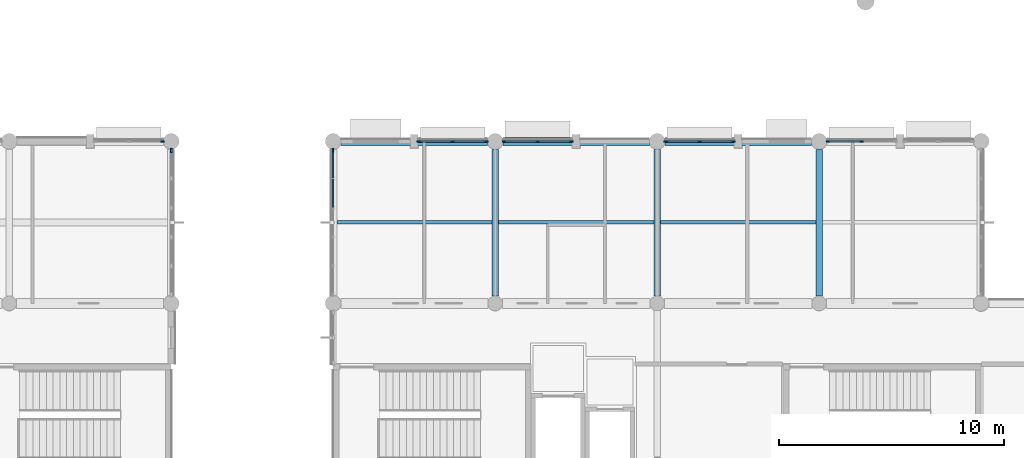
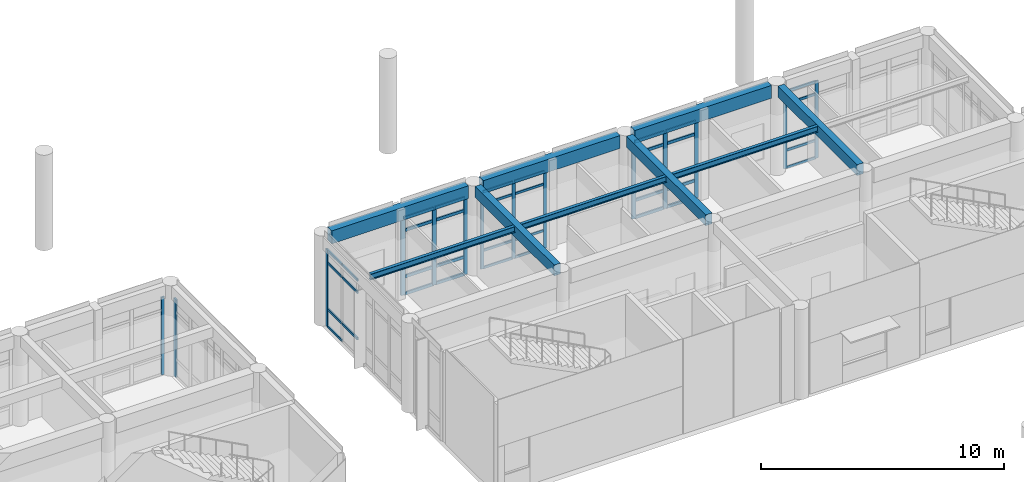
# One storey, part 27 of 92: 49 members, 9 beams, 7 elements without a shape of their own.
"""IFC4 building model written with IfcOpenShell, lengths in metres."""

from ifc_helpers import new_model, si_unit, direction, frame, origin, origin_2d, place, context, subcontext, project, spatial, rectangle, i_section, extrude, material, layer, layer_set, material_profile, profile_set, type_object, element, aggregate, save


model = new_model("IFC4")

# Units and contexts
model_context = context("Model", 3, precision=1e-05, world=origin(), true_north=direction((0.0, 1.0)))
body_context = subcontext(model_context, "Body", "Model", "MODEL_VIEW")
ifc_project = project(units=[si_unit("LENGTHUNIT", "METRE"), si_unit("AREAUNIT", "SQUARE_METRE"), si_unit("VOLUMEUNIT", "CUBIC_METRE"), si_unit("PLANEANGLEUNIT", "RADIAN"), si_unit("MASSUNIT", "GRAM", prefix="KILO")], contexts=[model_context])

# Site, building, storey
site_placement = place(None, origin())
site = spatial("IfcSite", under=ifc_project, at=site_placement, CompositionType="ELEMENT")
building_placement = place(site_placement, origin())
building = spatial("IfcBuilding", under=site, at=building_placement, Name="Namkhue Oval Health Centre", CompositionType="ELEMENT")
storey_placement = place(building_placement, frame((0.0, 0.0, 4.800048828125)))
storey = spatial("IfcBuildingStorey", under=building, at=storey_placement, Name="L01", CompositionType="ELEMENT", Elevation=4.800048828125)

# Curtain wall, member
ifc_material_1 = material(Name="Anodised aluminium EN AW-6063 T6", Category="aluminium")
ifc_layer_1 = layer(ifc_material_1, 0.159912109375)
ifc_layer_set_1 = layer_set([ifc_layer_1], Name="Anodised aluminium EN AW-6063 T6")
curtain_wall_type_1 = type_object("IfcCurtainWallType", Name="UNITISED CURTAIN WALL M1500", PredefinedType="NOTDEFINED", material=ifc_layer_set_1)
curtain_wall_1_placement = place(storey_placement, origin())
curtain_wall_1 = element("IfcCurtainWall", 1, at=curtain_wall_1_placement, inside=storey, type_object=curtain_wall_type_1, Name="Volume V2 L01 Unitised Curtain Wall 51", PredefinedType="NOTDEFINED")
ifc_material_profile_1 = material_profile(ifc_material_1, rectangle(XDim=0.06494140625, YDim=0.159912109375, at=origin_2d()), Name="ALU 65x160")
ifc_profile_set_1 = profile_set([ifc_material_profile_1], Name="Anodised aluminium EN AW-6063 T6")
member_type_1 = type_object("IfcMemberType", Name="CURTAIN WALL MULLION 65X160", PredefinedType="MULLION", material=ifc_profile_set_1)
member_1_placement = place(storey_placement, frame((86.007568359375, 104.39990234375, 0.0), z_axis=(0.0, 0.0, 1.0), x_axis=(0.0, -1.0, 0.0)))
member_1 = element("IfcMember", 2, at=member_1_placement, type_object=member_type_1, Name="CW-03 mullion 1", PredefinedType="MULLION", context=body_context, shape_type="SweptSolid", body=[
    extrude(rectangle(XDim=0.06494140625, YDim=0.159912109375, at=origin_2d()), origin(), (0.0, 0.0, 1.0), 3.905029296875),
])
aggregate(curtain_wall_1, [member_1])

# Curtain wall, members
curtain_wall_2_placement = place(storey_placement, origin())
curtain_wall_2 = element("IfcCurtainWall", 3, at=curtain_wall_2_placement, inside=storey, type_object=curtain_wall_type_1, Name="Volume V3 L01 Unitised Curtain Wall 105", PredefinedType="NOTDEFINED")
member_2_placement = place(storey_placement, frame((117.0869140625, 104.39990234375, 0.0), z_axis=(0.0, 0.0, 1.0), x_axis=(0.0, -1.0, 0.0)))
member_2 = element("IfcMember", 4, at=member_2_placement, type_object=member_type_1, Name="CW-03 mullion 2", PredefinedType="MULLION", context=body_context, shape_type="SweptSolid", body=[
    extrude(rectangle(XDim=0.06494140625, YDim=0.159912109375, at=origin_2d()), origin(), (0.0, 0.0, 1.0), 3.8798828125),
])
member_3_placement = place(storey_placement, frame((115.592529296875, 104.39990234375, 0.0), z_axis=(0.0, 0.0, 1.0), x_axis=(0.0, -1.0, 0.0)))
member_3 = element("IfcMember", 5, at=member_3_placement, type_object=member_type_1, Name="CW-03 mullion 3", PredefinedType="MULLION", context=body_context, shape_type="SweptSolid", body=[
    extrude(rectangle(XDim=0.06494140625, YDim=0.159912109375, at=origin_2d()), origin(), (0.0, 0.0, 1.0), 3.8798828125),
])

ifc_layer_2 = layer(ifc_material_1, 0.159912109375)
ifc_layer_set_2 = layer_set([ifc_layer_2], Name="Anodised aluminium EN AW-6063 T6")
curtain_wall_type_2 = type_object("IfcCurtainWallType", Name="UNITISED CURTAIN WALL M1800", PredefinedType="NOTDEFINED", material=ifc_layer_set_2)
curtain_wall_3_placement = place(storey_placement, origin())
curtain_wall_3 = element("IfcCurtainWall", 6, at=curtain_wall_3_placement, inside=storey, type_object=curtain_wall_type_2, Name="Volume V3 L01 Unitised Curtain Wall 107", PredefinedType="NOTDEFINED")
member_4_placement = place(storey_placement, frame((104.181396484375, 104.39990234375, 0.0), z_axis=(0.0, 0.0, 1.0), x_axis=(0.0, -1.0, 0.0)))
member_4 = element("IfcMember", 7, at=member_4_placement, type_object=member_type_1, Name="CW-05 mullion 1", PredefinedType="MULLION", context=body_context, shape_type="SweptSolid", body=[
    extrude(rectangle(XDim=0.06494140625, YDim=0.159912109375, at=origin_2d()), origin(), (0.0, 0.0, 1.0), 3.8798828125),
])
member_5_placement = place(storey_placement, frame((102.68701171875, 104.39990234375, 0.0), z_axis=(0.0, 0.0, 1.0), x_axis=(0.0, -1.0, 0.0)))
member_5 = element("IfcMember", 8, at=member_5_placement, type_object=member_type_1, Name="CW-05 mullion 2", PredefinedType="MULLION", context=body_context, shape_type="SweptSolid", body=[
    extrude(rectangle(XDim=0.06494140625, YDim=0.159912109375, at=origin_2d()), origin(), (0.0, 0.0, 1.0), 3.8798828125),
])
member_6_placement = place(storey_placement, frame((101.1923828125, 104.39990234375, 0.0), z_axis=(0.0, 0.0, 1.0), x_axis=(0.0, -1.0, 0.0)))
member_6 = element("IfcMember", 9, at=member_6_placement, type_object=member_type_1, Name="CW-05 mullion 3", PredefinedType="MULLION", context=body_context, shape_type="SweptSolid", body=[
    extrude(rectangle(XDim=0.06494140625, YDim=0.159912109375, at=origin_2d()), origin(), (0.0, 0.0, 1.0), 3.8798828125),
])

# Curtain wall, member
ifc_layer_3 = layer(ifc_material_1, 0.159912109375)
ifc_layer_set_3 = layer_set([ifc_layer_3], Name="Anodised aluminium EN AW-6063 T6")
curtain_wall_type_3 = type_object("IfcCurtainWallType", Name="UNITISED CURTAIN WALL M1200", PredefinedType="NOTDEFINED", material=ifc_layer_set_3)
curtain_wall_4_placement = place(storey_placement, origin())
curtain_wall_4 = element("IfcCurtainWall", 10, at=curtain_wall_4_placement, inside=storey, type_object=curtain_wall_type_3, Name="Volume V3 L01 Unitised Curtain Wall 109", PredefinedType="NOTDEFINED")
member_7_placement = place(storey_placement, frame((93.60009765625, 104.007568359375, 0.0), z_axis=(0.0, 0.0, 1.0), x_axis=(1.0, 0.0, 0.0)))
member_7 = element("IfcMember", 11, at=member_7_placement, type_object=member_type_1, Name="CW-01 mullion 1", PredefinedType="MULLION", context=body_context, shape_type="SweptSolid", body=[
    extrude(rectangle(XDim=0.06494140625, YDim=0.159912109375, at=origin_2d()), origin(), (0.0, 0.0, 1.0), 3.8798828125),
])

ifc_layer_4 = layer(ifc_material_1, 0.159912109375)
ifc_layer_set_4 = layer_set([ifc_layer_4], Name="Anodised aluminium EN AW-6063 T6")
curtain_wall_type_4 = type_object("IfcCurtainWallType", Name="UNITISED CURTAIN WALL M1350", PredefinedType="NOTDEFINED", material=ifc_layer_set_4)
curtain_wall_5_placement = place(storey_placement, origin())
curtain_wall_5 = element("IfcCurtainWall", 12, at=curtain_wall_5_placement, inside=storey, type_object=curtain_wall_type_4, Name="Volume V2 L01 Unitised Curtain Wall 50", PredefinedType="NOTDEFINED")
ifc_material_profile_2 = material_profile(ifc_material_1, rectangle(XDim=0.074951171875, YDim=0.199951171875, at=origin_2d()), Name="ALU 75x200")
ifc_profile_set_2 = profile_set([ifc_material_profile_2], Name="Anodised aluminium EN AW-6063 T6")
member_type_2 = type_object("IfcMemberType", Name="CURTAIN WALL MULLION 75X200", PredefinedType="MULLION", material=ifc_profile_set_2)
member_8_placement = place(storey_placement, frame((86.39990234375, 104.00244140625, 0.0), z_axis=(0.0, 0.0, 1.0), x_axis=(-1.0, 0.0, 0.0)))
member_8 = element("IfcMember", 13, at=member_8_placement, type_object=member_type_2, Name="CW-02 mullion 6", PredefinedType="MULLION", context=body_context, shape_type="SweptSolid", body=[
    extrude(rectangle(XDim=0.074951171875, YDim=0.199951171875, at=origin_2d()), origin(), (0.0, 0.0, 1.0), 3.905029296875),
])
aggregate(curtain_wall_5, [member_8])

# Curtain wall, members
ifc_layer_5 = layer(ifc_material_1, 0.159912109375)
ifc_layer_set_5 = layer_set([ifc_layer_5], Name="Anodised aluminium EN AW-6063 T6")
curtain_wall_type_5 = type_object("IfcCurtainWallType", Name="UNITISED CURTAIN WALL M1600", PredefinedType="NOTDEFINED", material=ifc_layer_set_5)
curtain_wall_6_placement = place(storey_placement, origin())
curtain_wall_6 = element("IfcCurtainWall", 14, at=curtain_wall_6_placement, inside=storey, type_object=curtain_wall_type_5, Name="Volume V3 L01 Unitised Curtain Wall 106", PredefinedType="NOTDEFINED")
member_9_placement = place(storey_placement, frame((111.37646484375, 104.39990234375, 0.0), z_axis=(0.0, 0.0, 1.0), x_axis=(0.0, -1.0, 0.0)))
member_9 = element("IfcMember", 15, at=member_9_placement, type_object=member_type_2, Name="CW-04 mullion 1", PredefinedType="MULLION", context=body_context, shape_type="SweptSolid", body=[
    extrude(rectangle(XDim=0.074951171875, YDim=0.199951171875, at=origin_2d()), origin(), (0.0, 0.0, 1.0), 3.8798828125),
])
member_10_placement = place(storey_placement, frame((109.886962890625, 104.39990234375, 0.0), z_axis=(0.0, 0.0, 1.0), x_axis=(0.0, -1.0, 0.0)))
member_10 = element("IfcMember", 16, at=member_10_placement, type_object=member_type_2, Name="CW-04 mullion 2", PredefinedType="MULLION", context=body_context, shape_type="SweptSolid", body=[
    extrude(rectangle(XDim=0.074951171875, YDim=0.199951171875, at=origin_2d()), origin(), (0.0, 0.0, 1.0), 3.8798828125),
])
member_11_placement = place(storey_placement, frame((108.3974609375, 104.39990234375, 0.0), z_axis=(0.0, 0.0, 1.0), x_axis=(0.0, -1.0, 0.0)))
member_11 = element("IfcMember", 17, at=member_11_placement, type_object=member_type_2, Name="CW-04 mullion 3", PredefinedType="MULLION", context=body_context, shape_type="SweptSolid", body=[
    extrude(rectangle(XDim=0.074951171875, YDim=0.199951171875, at=origin_2d()), origin(), (0.0, 0.0, 1.0), 3.8798828125),
])

ifc_layer_6 = layer(ifc_material_1, 0.159912109375)
ifc_layer_set_6 = layer_set([ifc_layer_6], Name="Anodised aluminium EN AW-6063 T6")
curtain_wall_type_6 = type_object("IfcCurtainWallType", Name="UNITISED CURTAIN WALL M2000", PredefinedType="NOTDEFINED", material=ifc_layer_set_6)
curtain_wall_7_placement = place(storey_placement, origin())
curtain_wall_7 = element("IfcCurtainWall", 18, at=curtain_wall_7_placement, inside=storey, type_object=curtain_wall_type_6, Name="Volume V3 L01 Unitised Curtain Wall 108", PredefinedType="NOTDEFINED")
member_12_placement = place(storey_placement, frame((100.402587890625, 104.39990234375, 0.0), z_axis=(0.0, 0.0, 1.0), x_axis=(0.0, -1.0, 0.0)))
member_12 = element("IfcMember", 19, at=member_12_placement, type_object=member_type_2, Name="CW-06 mullion 1", PredefinedType="MULLION", context=body_context, shape_type="SweptSolid", body=[
    extrude(rectangle(XDim=0.074951171875, YDim=0.199951171875, at=origin_2d()), origin(), (0.0, 0.0, 1.0), 3.8798828125),
])
member_13_placement = place(storey_placement, frame((98.9130859375, 104.39990234375, 0.0), z_axis=(0.0, 0.0, 1.0), x_axis=(0.0, -1.0, 0.0)))
member_13 = element("IfcMember", 20, at=member_13_placement, type_object=member_type_2, Name="CW-06 mullion 2", PredefinedType="MULLION", context=body_context, shape_type="SweptSolid", body=[
    extrude(rectangle(XDim=0.074951171875, YDim=0.199951171875, at=origin_2d()), origin(), (0.0, 0.0, 1.0), 3.8798828125),
])
member_14_placement = place(storey_placement, frame((97.423583984375, 104.39990234375, 0.0), z_axis=(0.0, 0.0, 1.0), x_axis=(0.0, -1.0, 0.0)))
member_14 = element("IfcMember", 21, at=member_14_placement, type_object=member_type_2, Name="CW-06 mullion 3", PredefinedType="MULLION", context=body_context, shape_type="SweptSolid", body=[
    extrude(rectangle(XDim=0.074951171875, YDim=0.199951171875, at=origin_2d()), origin(), (0.0, 0.0, 1.0), 3.8798828125),
])

# Member
ifc_material_profile_3 = material_profile(ifc_material_1, rectangle(XDim=0.06494140625, YDim=0.1201171875, at=origin_2d()), Name="ALU 65x120")
ifc_profile_set_3 = profile_set([ifc_material_profile_3], Name="Anodised aluminium EN AW-6063 T6")
member_type_3 = type_object("IfcMemberType", Name="CURTAIN WALL TRANSOM 65X120", PredefinedType="USERDEFINED", material=ifc_profile_set_3)
member_15_placement = place(storey_placement, frame((117.054443359375, 104.39990234375, 0.032470703125), z_axis=(-1.0, 0.0, 0.0), x_axis=(0.0, -1.0, 0.0)))
member_15 = element("IfcMember", 22, at=member_15_placement, type_object=member_type_3, Name="CW-03 transom 2.1", ObjectType="TRANSOM", PredefinedType="USERDEFINED", context=body_context, shape_type="SweptSolid", body=[
    extrude(rectangle(XDim=0.06494140625, YDim=0.1201171875, at=origin_2d()), origin(), (0.0, 0.0, 1.0), 1.429443359375),
])

member_16_placement = place(storey_placement, frame((117.054443359375, 104.39990234375, 0.89990234375), z_axis=(-1.0, 0.0, 0.0), x_axis=(0.0, -1.0, 0.0)))
member_16 = element("IfcMember", 23, at=member_16_placement, type_object=member_type_3, Name="CW-03 transom 2.2", ObjectType="TRANSOM", PredefinedType="USERDEFINED", context=body_context, shape_type="SweptSolid", body=[
    extrude(rectangle(XDim=0.06494140625, YDim=0.1201171875, at=origin_2d()), origin(), (0.0, 0.0, 1.0), 1.429443359375),
])

member_17_placement = place(storey_placement, frame((117.054443359375, 104.39990234375, 3.22998046875), z_axis=(-1.0, 0.0, 0.0), x_axis=(0.0, -1.0, 0.0)))
member_17 = element("IfcMember", 24, at=member_17_placement, type_object=member_type_3, Name="CW-03 transom 2.3", ObjectType="TRANSOM", PredefinedType="USERDEFINED", context=body_context, shape_type="SweptSolid", body=[
    extrude(rectangle(XDim=0.06494140625, YDim=0.1201171875, at=origin_2d()), origin(), (0.0, 0.0, 1.0), 1.429443359375),
])

member_18_placement = place(storey_placement, frame((117.054443359375, 104.39990234375, 3.847412109375), z_axis=(-1.0, 0.0, 0.0), x_axis=(0.0, -1.0, 0.0)))
member_18 = element("IfcMember", 25, at=member_18_placement, type_object=member_type_3, Name="CW-03 transom 2.4", ObjectType="TRANSOM", PredefinedType="USERDEFINED", context=body_context, shape_type="SweptSolid", body=[
    extrude(rectangle(XDim=0.06494140625, YDim=0.1201171875, at=origin_2d()), origin(), (0.0, 0.0, 1.0), 1.429443359375),
])

aggregate(curtain_wall_2, [member_2, member_3, member_15, member_16, member_17, member_18])

member_19_placement = place(storey_placement, frame((104.14892578125, 104.39990234375, 0.032470703125), z_axis=(-1.0, 0.0, 0.0), x_axis=(0.0, -1.0, 0.0)))
member_19 = element("IfcMember", 26, at=member_19_placement, type_object=member_type_3, Name="CW-05 transom 1.1", ObjectType="TRANSOM", PredefinedType="USERDEFINED", context=body_context, shape_type="SweptSolid", body=[
    extrude(rectangle(XDim=0.06494140625, YDim=0.1201171875, at=origin_2d()), origin(), (0.0, 0.0, 1.0), 1.429443359375),
])

member_20_placement = place(storey_placement, frame((104.14892578125, 104.39990234375, 0.89990234375), z_axis=(-1.0, 0.0, 0.0), x_axis=(0.0, -1.0, 0.0)))
member_20 = element("IfcMember", 27, at=member_20_placement, type_object=member_type_3, Name="CW-05 transom 1.2", ObjectType="TRANSOM", PredefinedType="USERDEFINED", context=body_context, shape_type="SweptSolid", body=[
    extrude(rectangle(XDim=0.06494140625, YDim=0.1201171875, at=origin_2d()), origin(), (0.0, 0.0, 1.0), 1.429443359375),
])

member_21_placement = place(storey_placement, frame((104.14892578125, 104.39990234375, 3.22998046875), z_axis=(-1.0, 0.0, 0.0), x_axis=(0.0, -1.0, 0.0)))
member_21 = element("IfcMember", 28, at=member_21_placement, type_object=member_type_3, Name="CW-05 transom 1.3", ObjectType="TRANSOM", PredefinedType="USERDEFINED", context=body_context, shape_type="SweptSolid", body=[
    extrude(rectangle(XDim=0.06494140625, YDim=0.1201171875, at=origin_2d()), origin(), (0.0, 0.0, 1.0), 1.429443359375),
])

member_22_placement = place(storey_placement, frame((104.14892578125, 104.39990234375, 3.847412109375), z_axis=(-1.0, 0.0, 0.0), x_axis=(0.0, -1.0, 0.0)))
member_22 = element("IfcMember", 29, at=member_22_placement, type_object=member_type_3, Name="CW-05 transom 1.4", ObjectType="TRANSOM", PredefinedType="USERDEFINED", context=body_context, shape_type="SweptSolid", body=[
    extrude(rectangle(XDim=0.06494140625, YDim=0.1201171875, at=origin_2d()), origin(), (0.0, 0.0, 1.0), 1.429443359375),
])

member_23_placement = place(storey_placement, frame((102.654541015625, 104.39990234375, 0.032470703125), z_axis=(-1.0, 0.0, 0.0), x_axis=(0.0, -1.0, 0.0)))
member_23 = element("IfcMember", 30, at=member_23_placement, type_object=member_type_3, Name="CW-05 transom 2.1", ObjectType="TRANSOM", PredefinedType="USERDEFINED", context=body_context, shape_type="SweptSolid", body=[
    extrude(rectangle(XDim=0.06494140625, YDim=0.1201171875, at=origin_2d()), origin(), (0.0, 0.0, 1.0), 1.429443359375),
])

member_24_placement = place(storey_placement, frame((102.654541015625, 104.39990234375, 0.89990234375), z_axis=(-1.0, 0.0, 0.0), x_axis=(0.0, -1.0, 0.0)))
member_24 = element("IfcMember", 31, at=member_24_placement, type_object=member_type_3, Name="CW-05 transom 2.2", ObjectType="TRANSOM", PredefinedType="USERDEFINED", context=body_context, shape_type="SweptSolid", body=[
    extrude(rectangle(XDim=0.06494140625, YDim=0.1201171875, at=origin_2d()), origin(), (0.0, 0.0, 1.0), 1.429443359375),
])

member_25_placement = place(storey_placement, frame((102.654541015625, 104.39990234375, 3.22998046875), z_axis=(-1.0, 0.0, 0.0), x_axis=(0.0, -1.0, 0.0)))
member_25 = element("IfcMember", 32, at=member_25_placement, type_object=member_type_3, Name="CW-05 transom 2.3", ObjectType="TRANSOM", PredefinedType="USERDEFINED", context=body_context, shape_type="SweptSolid", body=[
    extrude(rectangle(XDim=0.06494140625, YDim=0.1201171875, at=origin_2d()), origin(), (0.0, 0.0, 1.0), 1.429443359375),
])

member_26_placement = place(storey_placement, frame((102.654541015625, 104.39990234375, 3.847412109375), z_axis=(-1.0, 0.0, 0.0), x_axis=(0.0, -1.0, 0.0)))
member_26 = element("IfcMember", 33, at=member_26_placement, type_object=member_type_3, Name="CW-05 transom 2.4", ObjectType="TRANSOM", PredefinedType="USERDEFINED", context=body_context, shape_type="SweptSolid", body=[
    extrude(rectangle(XDim=0.06494140625, YDim=0.1201171875, at=origin_2d()), origin(), (0.0, 0.0, 1.0), 1.429443359375),
])

aggregate(curtain_wall_3, [member_4, member_5, member_6, member_19, member_20, member_21, member_22, member_23, member_24, member_25, member_26])

member_27_placement = place(storey_placement, frame((93.60009765625, 103.97509765625, 0.032470703125), z_axis=(0.0, -1.0, 0.0), x_axis=(1.0, 0.0, 0.0)))
member_27 = element("IfcMember", 34, at=member_27_placement, type_object=member_type_3, Name="CW-01 transom 1.1", ObjectType="TRANSOM", PredefinedType="USERDEFINED", context=body_context, shape_type="SweptSolid", body=[
    extrude(rectangle(XDim=0.06494140625, YDim=0.1201171875, at=origin_2d()), origin(), (0.0, 0.0, 1.0), 1.198486328125),
])

member_28_placement = place(storey_placement, frame((93.60009765625, 103.97509765625, 0.89990234375), z_axis=(0.0, -1.0, 0.0), x_axis=(1.0, 0.0, 0.0)))
member_28 = element("IfcMember", 35, at=member_28_placement, type_object=member_type_3, Name="CW-01 transom 1.2", ObjectType="TRANSOM", PredefinedType="USERDEFINED", context=body_context, shape_type="SweptSolid", body=[
    extrude(rectangle(XDim=0.06494140625, YDim=0.1201171875, at=origin_2d()), origin(), (0.0, 0.0, 1.0), 1.198486328125),
])

member_29_placement = place(storey_placement, frame((93.60009765625, 103.97509765625, 3.22998046875), z_axis=(0.0, -1.0, 0.0), x_axis=(1.0, 0.0, 0.0)))
member_29 = element("IfcMember", 36, at=member_29_placement, type_object=member_type_3, Name="CW-01 transom 1.3", ObjectType="TRANSOM", PredefinedType="USERDEFINED", context=body_context, shape_type="SweptSolid", body=[
    extrude(rectangle(XDim=0.06494140625, YDim=0.1201171875, at=origin_2d()), origin(), (0.0, 0.0, 1.0), 1.198486328125),
])

member_30_placement = place(storey_placement, frame((93.60009765625, 103.97509765625, 3.847412109375), z_axis=(0.0, -1.0, 0.0), x_axis=(1.0, 0.0, 0.0)))
member_30 = element("IfcMember", 37, at=member_30_placement, type_object=member_type_3, Name="CW-01 transom 1.4", ObjectType="TRANSOM", PredefinedType="USERDEFINED", context=body_context, shape_type="SweptSolid", body=[
    extrude(rectangle(XDim=0.06494140625, YDim=0.1201171875, at=origin_2d()), origin(), (0.0, 0.0, 1.0), 1.198486328125),
])

member_31_placement = place(storey_placement, frame((93.60009765625, 102.71142578125, 0.89990234375), z_axis=(0.0, -1.0, 0.0), x_axis=(1.0, 0.0, 0.0)))
member_31 = element("IfcMember", 38, at=member_31_placement, type_object=member_type_3, Name="CW-01 transom 2.2", ObjectType="TRANSOM", PredefinedType="USERDEFINED", context=body_context, shape_type="SweptSolid", body=[
    extrude(rectangle(XDim=0.06494140625, YDim=0.1201171875, at=origin_2d()), origin(), (0.0, 0.0, 1.0), 1.23095703125),
])

member_32_placement = place(storey_placement, frame((93.60009765625, 102.71142578125, 3.22998046875), z_axis=(0.0, -1.0, 0.0), x_axis=(1.0, 0.0, 0.0)))
member_32 = element("IfcMember", 39, at=member_32_placement, type_object=member_type_3, Name="CW-01 transom 2.3", ObjectType="TRANSOM", PredefinedType="USERDEFINED", context=body_context, shape_type="SweptSolid", body=[
    extrude(rectangle(XDim=0.06494140625, YDim=0.1201171875, at=origin_2d()), origin(), (0.0, 0.0, 1.0), 1.23095703125),
])

member_33_placement = place(storey_placement, frame((93.60009765625, 102.71142578125, 3.847412109375), z_axis=(0.0, -1.0, 0.0), x_axis=(1.0, 0.0, 0.0)))
member_33 = element("IfcMember", 40, at=member_33_placement, type_object=member_type_3, Name="CW-01 transom 2.4", ObjectType="TRANSOM", PredefinedType="USERDEFINED", context=body_context, shape_type="SweptSolid", body=[
    extrude(rectangle(XDim=0.06494140625, YDim=0.1201171875, at=origin_2d()), origin(), (0.0, 0.0, 1.0), 1.23095703125),
])

aggregate(curtain_wall_4, [member_7, member_27, member_28, member_29, member_30, member_31, member_32, member_33])

ifc_material_profile_4 = material_profile(ifc_material_1, rectangle(XDim=0.074951171875, YDim=0.14990234375, at=origin_2d()), Name="ALU 75x150")
ifc_profile_set_4 = profile_set([ifc_material_profile_4], Name="Anodised aluminium EN AW-6063 T6")
member_type_4 = type_object("IfcMemberType", Name="CURTAIN WALL TRANSOM 75X150", PredefinedType="USERDEFINED", material=ifc_profile_set_4)
member_34_placement = place(storey_placement, frame((111.339111328125, 104.39990234375, 0.037353515625), z_axis=(-1.0, 0.0, 0.0), x_axis=(0.0, -1.0, 0.0)))
member_34 = element("IfcMember", 41, at=member_34_placement, type_object=member_type_4, Name="CW-04 transom 1.1", ObjectType="TRANSOM", PredefinedType="USERDEFINED", context=body_context, shape_type="SweptSolid", body=[
    extrude(rectangle(XDim=0.074951171875, YDim=0.14990234375, at=origin_2d()), origin(), (0.0, 0.0, 1.0), 1.41455078125),
])

member_35_placement = place(storey_placement, frame((111.339111328125, 104.39990234375, 0.89990234375), z_axis=(-1.0, 0.0, 0.0), x_axis=(0.0, -1.0, 0.0)))
member_35 = element("IfcMember", 42, at=member_35_placement, type_object=member_type_4, Name="CW-04 transom 1.2", ObjectType="TRANSOM", PredefinedType="USERDEFINED", context=body_context, shape_type="SweptSolid", body=[
    extrude(rectangle(XDim=0.074951171875, YDim=0.14990234375, at=origin_2d()), origin(), (0.0, 0.0, 1.0), 1.41455078125),
])

member_36_placement = place(storey_placement, frame((111.339111328125, 104.39990234375, 3.22998046875), z_axis=(-1.0, 0.0, 0.0), x_axis=(0.0, -1.0, 0.0)))
member_36 = element("IfcMember", 43, at=member_36_placement, type_object=member_type_4, Name="CW-04 transom 1.3", ObjectType="TRANSOM", PredefinedType="USERDEFINED", context=body_context, shape_type="SweptSolid", body=[
    extrude(rectangle(XDim=0.074951171875, YDim=0.14990234375, at=origin_2d()), origin(), (0.0, 0.0, 1.0), 1.41455078125),
])

member_37_placement = place(storey_placement, frame((111.339111328125, 104.39990234375, 3.842529296875), z_axis=(-1.0, 0.0, 0.0), x_axis=(0.0, -1.0, 0.0)))
member_37 = element("IfcMember", 44, at=member_37_placement, type_object=member_type_4, Name="CW-04 transom 1.4", ObjectType="TRANSOM", PredefinedType="USERDEFINED", context=body_context, shape_type="SweptSolid", body=[
    extrude(rectangle(XDim=0.074951171875, YDim=0.14990234375, at=origin_2d()), origin(), (0.0, 0.0, 1.0), 1.41455078125),
])

member_38_placement = place(storey_placement, frame((109.849609375, 104.39990234375, 0.037353515625), z_axis=(-1.0, 0.0, 0.0), x_axis=(0.0, -1.0, 0.0)))
member_38 = element("IfcMember", 45, at=member_38_placement, type_object=member_type_4, Name="CW-04 transom 2.1", ObjectType="TRANSOM", PredefinedType="USERDEFINED", context=body_context, shape_type="SweptSolid", body=[
    extrude(rectangle(XDim=0.074951171875, YDim=0.14990234375, at=origin_2d()), origin(), (0.0, 0.0, 1.0), 1.41455078125),
])

member_39_placement = place(storey_placement, frame((109.849609375, 104.39990234375, 0.89990234375), z_axis=(-1.0, 0.0, 0.0), x_axis=(0.0, -1.0, 0.0)))
member_39 = element("IfcMember", 46, at=member_39_placement, type_object=member_type_4, Name="CW-04 transom 2.2", ObjectType="TRANSOM", PredefinedType="USERDEFINED", context=body_context, shape_type="SweptSolid", body=[
    extrude(rectangle(XDim=0.074951171875, YDim=0.14990234375, at=origin_2d()), origin(), (0.0, 0.0, 1.0), 1.41455078125),
])

member_40_placement = place(storey_placement, frame((109.849609375, 104.39990234375, 3.22998046875), z_axis=(-1.0, 0.0, 0.0), x_axis=(0.0, -1.0, 0.0)))
member_40 = element("IfcMember", 47, at=member_40_placement, type_object=member_type_4, Name="CW-04 transom 2.3", ObjectType="TRANSOM", PredefinedType="USERDEFINED", context=body_context, shape_type="SweptSolid", body=[
    extrude(rectangle(XDim=0.074951171875, YDim=0.14990234375, at=origin_2d()), origin(), (0.0, 0.0, 1.0), 1.41455078125),
])

member_41_placement = place(storey_placement, frame((109.849609375, 104.39990234375, 3.842529296875), z_axis=(-1.0, 0.0, 0.0), x_axis=(0.0, -1.0, 0.0)))
member_41 = element("IfcMember", 48, at=member_41_placement, type_object=member_type_4, Name="CW-04 transom 2.4", ObjectType="TRANSOM", PredefinedType="USERDEFINED", context=body_context, shape_type="SweptSolid", body=[
    extrude(rectangle(XDim=0.074951171875, YDim=0.14990234375, at=origin_2d()), origin(), (0.0, 0.0, 1.0), 1.41455078125),
])

aggregate(curtain_wall_6, [member_9, member_10, member_11, member_34, member_35, member_36, member_37, member_38, member_39, member_40, member_41])

member_42_placement = place(storey_placement, frame((100.364990234375, 104.39990234375, 0.037353515625), z_axis=(-1.0, 0.0, 0.0), x_axis=(0.0, -1.0, 0.0)))
member_42 = element("IfcMember", 49, at=member_42_placement, type_object=member_type_4, Name="CW-06 transom 1.1", ObjectType="TRANSOM", PredefinedType="USERDEFINED", context=body_context, shape_type="SweptSolid", body=[
    extrude(rectangle(XDim=0.074951171875, YDim=0.14990234375, at=origin_2d()), origin(), (0.0, 0.0, 1.0), 1.41455078125),
])

member_43_placement = place(storey_placement, frame((100.364990234375, 104.39990234375, 0.89990234375), z_axis=(-1.0, 0.0, 0.0), x_axis=(0.0, -1.0, 0.0)))
member_43 = element("IfcMember", 50, at=member_43_placement, type_object=member_type_4, Name="CW-06 transom 1.2", ObjectType="TRANSOM", PredefinedType="USERDEFINED", context=body_context, shape_type="SweptSolid", body=[
    extrude(rectangle(XDim=0.074951171875, YDim=0.14990234375, at=origin_2d()), origin(), (0.0, 0.0, 1.0), 1.41455078125),
])

member_44_placement = place(storey_placement, frame((100.364990234375, 104.39990234375, 3.22998046875), z_axis=(-1.0, 0.0, 0.0), x_axis=(0.0, -1.0, 0.0)))
member_44 = element("IfcMember", 51, at=member_44_placement, type_object=member_type_4, Name="CW-06 transom 1.3", ObjectType="TRANSOM", PredefinedType="USERDEFINED", context=body_context, shape_type="SweptSolid", body=[
    extrude(rectangle(XDim=0.074951171875, YDim=0.14990234375, at=origin_2d()), origin(), (0.0, 0.0, 1.0), 1.41455078125),
])

member_45_placement = place(storey_placement, frame((100.364990234375, 104.39990234375, 3.842529296875), z_axis=(-1.0, 0.0, 0.0), x_axis=(0.0, -1.0, 0.0)))
member_45 = element("IfcMember", 52, at=member_45_placement, type_object=member_type_4, Name="CW-06 transom 1.4", ObjectType="TRANSOM", PredefinedType="USERDEFINED", context=body_context, shape_type="SweptSolid", body=[
    extrude(rectangle(XDim=0.074951171875, YDim=0.14990234375, at=origin_2d()), origin(), (0.0, 0.0, 1.0), 1.41455078125),
])

member_46_placement = place(storey_placement, frame((98.87548828125, 104.39990234375, 0.037353515625), z_axis=(-1.0, 0.0, 0.0), x_axis=(0.0, -1.0, 0.0)))
member_46 = element("IfcMember", 53, at=member_46_placement, type_object=member_type_4, Name="CW-06 transom 2.1", ObjectType="TRANSOM", PredefinedType="USERDEFINED", context=body_context, shape_type="SweptSolid", body=[
    extrude(rectangle(XDim=0.074951171875, YDim=0.14990234375, at=origin_2d()), origin(), (0.0, 0.0, 1.0), 1.41455078125),
])

member_47_placement = place(storey_placement, frame((98.87548828125, 104.39990234375, 0.89990234375), z_axis=(-1.0, 0.0, 0.0), x_axis=(0.0, -1.0, 0.0)))
member_47 = element("IfcMember", 54, at=member_47_placement, type_object=member_type_4, Name="CW-06 transom 2.2", ObjectType="TRANSOM", PredefinedType="USERDEFINED", context=body_context, shape_type="SweptSolid", body=[
    extrude(rectangle(XDim=0.074951171875, YDim=0.14990234375, at=origin_2d()), origin(), (0.0, 0.0, 1.0), 1.41455078125),
])

member_48_placement = place(storey_placement, frame((98.87548828125, 104.39990234375, 3.22998046875), z_axis=(-1.0, 0.0, 0.0), x_axis=(0.0, -1.0, 0.0)))
member_48 = element("IfcMember", 55, at=member_48_placement, type_object=member_type_4, Name="CW-06 transom 2.3", ObjectType="TRANSOM", PredefinedType="USERDEFINED", context=body_context, shape_type="SweptSolid", body=[
    extrude(rectangle(XDim=0.074951171875, YDim=0.14990234375, at=origin_2d()), origin(), (0.0, 0.0, 1.0), 1.41455078125),
])

member_49_placement = place(storey_placement, frame((98.87548828125, 104.39990234375, 3.842529296875), z_axis=(-1.0, 0.0, 0.0), x_axis=(0.0, -1.0, 0.0)))
member_49 = element("IfcMember", 56, at=member_49_placement, type_object=member_type_4, Name="CW-06 transom 2.4", ObjectType="TRANSOM", PredefinedType="USERDEFINED", context=body_context, shape_type="SweptSolid", body=[
    extrude(rectangle(XDim=0.074951171875, YDim=0.14990234375, at=origin_2d()), origin(), (0.0, 0.0, 1.0), 1.41455078125),
])

aggregate(curtain_wall_7, [member_12, member_13, member_14, member_42, member_43, member_44, member_45, member_46, member_47, member_48, member_49])

# Beams
ifc_material_2 = material(Name="Reinforced concrete C30/37 (TCVN B35)", Category="concrete")
ifc_material_profile_5 = material_profile(ifc_material_2, rectangle(XDim=0.300048828125, YDim=0.550048828125, at=origin_2d()), Name="RC 300x550")
ifc_profile_set_5 = profile_set([ifc_material_profile_5], Name="Reinforced concrete C30/37 (TCVN B35)")
beam_type_1 = type_object("IfcBeamType", Name="FLOOR BEAM RC 300X550", PredefinedType="BEAM", material=ifc_profile_set_5)
for number, where, z_axis, x_axis, name in (
    (57, (100.800048828125, 97.52490234375, 4.2548828125), (0.0, 1.0, 0.0), (-1.0, 0.0, 0.0), "Volume V3 L02 Beam 15/O-P"),
    (58, (108.0, 97.52490234375, 4.2548828125), (0.0, 1.0, 0.0), (-1.0, 0.0, 0.0), "Volume V3 L02 Beam 16/O-P"),
    (59, (115.199951171875, 97.52490234375, 4.2548828125), (0.0, 1.0, 0.0), (-1.0, 0.0, 0.0), "Volume V3 L02 Beam 17/O-P"),
):
    element("IfcBeam", number, at=place(storey_placement, frame(where, z_axis=z_axis, x_axis=x_axis)), inside=storey, type_object=beam_type_1, Name=name, PredefinedType="BEAM", context=body_context, shape_type="SweptSolid", body=[
        extrude(rectangle(XDim=0.300048828125, YDim=0.550048828125, at=origin_2d()), origin(), (0.0, 0.0, 1.0), 6.525146484375),
    ])
ifc_material_3 = material(Name="Reinforced concrete C35/45 (TCVN B40)", Category="concrete")
ifc_material_profile_6 = material_profile(ifc_material_3, rectangle(XDim=0.35009765625, YDim=0.64990234375, at=origin_2d()), Name="RC 350x650")
ifc_profile_set_6 = profile_set([ifc_material_profile_6], Name="Reinforced concrete C35/45 (TCVN B40)")
beam_type_2 = type_object("IfcBeamType", Name="PERIMETER SPANDREL BEAM 350X650", PredefinedType="SPANDREL", material=ifc_profile_set_6)
for number, where, z_axis, x_axis, name in (
    (60, (93.949951171875, 104.39990234375, 4.204833984375), (1.0, 0.0, 0.0), (0.0, 1.0, 0.0), "Volume V3 L02 Girder P/14-15"),
    (61, (101.14990234375, 104.39990234375, 4.204833984375), (1.0, 0.0, 0.0), (0.0, 1.0, 0.0), "Volume V3 L02 Girder P/15-16"),
    (62, (108.35009765625, 104.39990234375, 4.204833984375), (1.0, 0.0, 0.0), (0.0, 1.0, 0.0), "Volume V3 L02 Girder P/16-17"),
):
    element("IfcBeam", number, at=place(storey_placement, frame(where, z_axis=z_axis, x_axis=x_axis)), inside=storey, type_object=beam_type_2, Name=name, PredefinedType="SPANDREL", context=body_context, shape_type="SweptSolid", body=[
        extrude(rectangle(XDim=0.35009765625, YDim=0.64990234375, at=origin_2d()), origin(), (0.0, 0.0, 1.0), 6.5),
    ])
ifc_material_4 = material(Name="Structural steel EN 10025-2 S355JR (TCVN 5575:2024)", Category="steel")
ifc_material_profile_7 = material_profile(ifc_material_4, i_section(OverallWidth=0.14990234375, OverallDepth=0.300048828125, WebThickness=0.007080078125, FlangeThickness=0.0107421875, FilletRadius=0.014892578125, at=origin_2d()), Name="IPE 300")
ifc_profile_set_7 = profile_set([ifc_material_profile_7], Name="Structural steel EN 10025-2 S355JR (TCVN 5575:2024)")
beam_type_3 = type_object("IfcBeamType", Name="SECONDARY JOIST STEEL IPE 300", PredefinedType="JOIST", material=ifc_profile_set_7)
beam_placement = place(storey_placement, frame((93.77490234375, 100.800048828125, 4.3798828125), z_axis=(1.0, 0.0, 0.0), x_axis=(0.0, 1.0, 0.0)))
element("IfcBeam", 63, at=beam_placement, inside=storey, type_object=beam_type_3, Name="Volume V3 L02 Secondary Joist 14-15", PredefinedType="JOIST", context=body_context, shape_type="SweptSolid", body=[
    extrude(i_section(OverallWidth=0.14990234375, OverallDepth=0.300048828125, WebThickness=0.007080078125, FlangeThickness=0.0107421875, FilletRadius=0.014892578125, at=origin_2d()), origin(), (0.0, 0.0, 1.0), 6.875),
])
for number, where, z_axis, x_axis, name in (
    (64, (100.949951171875, 100.800048828125, 4.3798828125), (1.0, 0.0, 0.0), (0.0, 1.0, 0.0), "Volume V3 L02 Secondary Joist 15-16"),
    (65, (108.14990234375, 100.800048828125, 4.3798828125), (1.0, 0.0, 0.0), (0.0, 1.0, 0.0), "Volume V3 L02 Secondary Joist 16-17"),
):
    element("IfcBeam", number, at=place(storey_placement, frame(where, z_axis=z_axis, x_axis=x_axis)), inside=storey, type_object=beam_type_3, Name=name, PredefinedType="JOIST", context=body_context, shape_type="SweptSolid", body=[
        extrude(i_section(OverallWidth=0.14990234375, OverallDepth=0.300048828125, WebThickness=0.007080078125, FlangeThickness=0.0107421875, FilletRadius=0.014892578125, at=origin_2d()), origin(), (0.0, 0.0, 1.0), 6.900146484375),
    ])

save(model, "model.ifc")
